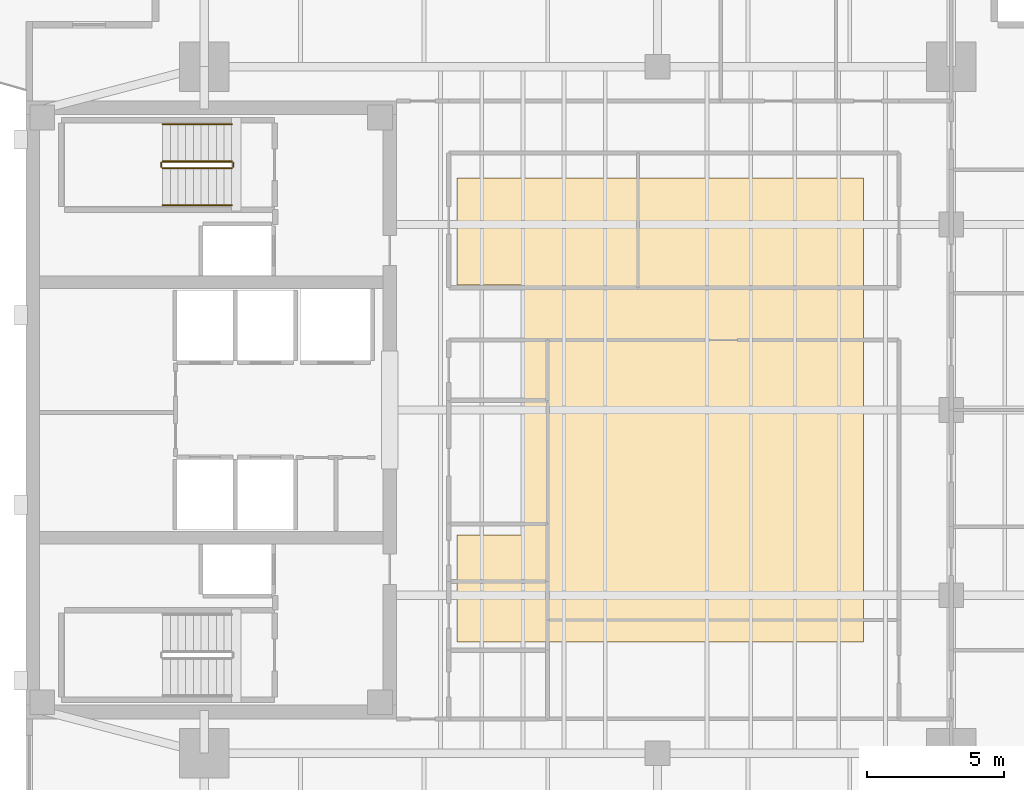
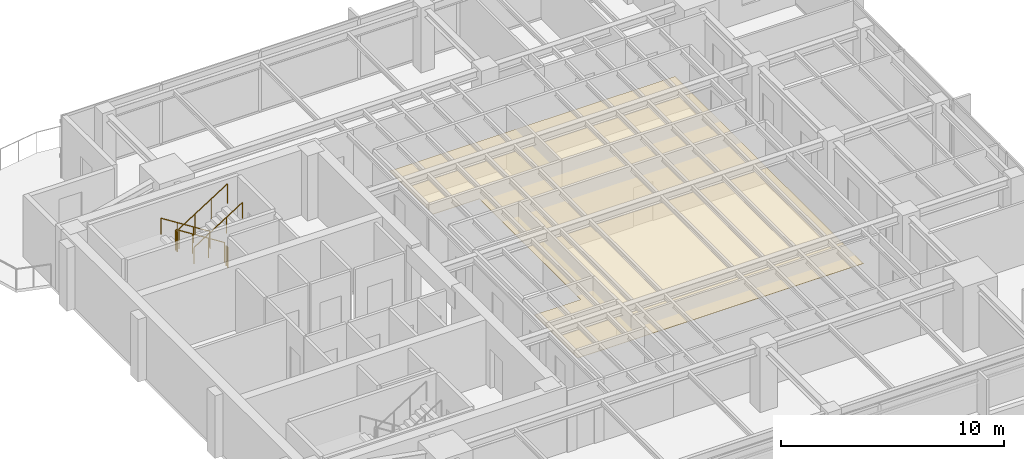
# One storey, part 12 of 13: 6 railings, 1 covering.
"""IFC4 building model written with IfcOpenShell, lengths in metres."""

import ifcopenshell
import ifcopenshell.guid

model = None  # the IFC model being written
_history = None  # IfcOwnerHistory: only IFC2X3 demands one
_inside = {}  # id of a spatial element -> (the spatial element, [elements in it])
_under = {}  # id of a project, library or spatial element -> (it, [spatial elements below it])
_declared = {}  # id of a project -> (the project, [libraries it declares])
_typed = {}  # id of a type object -> (the type object, [elements of that type])
_made_of = {}  # id of a material, layer set ... -> (it, [elements and type objects made of it])


def new_model(schema):
    """Start an empty IFC model of exactly this schema.

    Asked for "IFC4X3", IfcOpenShell would pick the latest addendum, in which some entities
    have other attributes; the version numbers below select the first issue.
    IFC2X3 requires an IfcOwnerHistory on every rooted entity: one is made here for all.
    """
    global model, _history
    if schema == "IFC4X3":
        model = ifcopenshell.file(schema_version=(4, 3, 0, 0))
    else:
        model = ifcopenshell.file(schema=schema)
    _inside.clear()
    _under.clear()
    _declared.clear()
    _typed.clear()
    _made_of.clear()
    _history = None
    if model.schema == "IFC2X3":
        org = make("IfcOrganization", Name="unknown")
        user = make(
            "IfcPersonAndOrganization",
            ThePerson=make("IfcPerson", FamilyName="unknown"),
            TheOrganization=org,
        )
        app = make(
            "IfcApplication",
            ApplicationDeveloper=org,
            Version="unknown",
            ApplicationFullName="unknown",
            ApplicationIdentifier="unknown",
        )
        _history = make(
            "IfcOwnerHistory",
            OwningUser=user,
            OwningApplication=app,
            ChangeAction="ADDED",
            CreationDate=0,
        )
    return model


def make(cls, **values):
    """One entity of the class cls with the attributes given. An attribute that is None is left unset."""
    return model.create_entity(
        cls, **{name: value for name, value in values.items() if value is not None}
    )


def rooted(cls, **values):
    """An entity with a GlobalId (a new one), such as an element, a storey or a relation."""
    return make(cls, GlobalId=ifcopenshell.guid.new(), OwnerHistory=_history, **values)


def si_unit(unit_type, name, prefix=None):
    """IfcSIUnit, for example si_unit("LENGTHUNIT", "METRE", prefix="MILLI")."""
    return make("IfcSIUnit", UnitType=unit_type, Prefix=prefix, Name=name)


def assignment(units):
    """IfcUnitAssignment: the units of a project."""
    return None if units is None else make("IfcUnitAssignment", Units=units)


def point(xyz):
    """IfcCartesianPoint."""
    return None if xyz is None else make("IfcCartesianPoint", Coordinates=xyz)


def direction(xyz):
    """IfcDirection."""
    return None if xyz is None else make("IfcDirection", DirectionRatios=xyz)


def frame(location, z_axis=None, x_axis=None):
    """IfcAxis2Placement3D, a coordinate frame: its origin and axes. An axis left out is left unset."""
    return make(
        "IfcAxis2Placement3D",
        Location=point(location),
        Axis=direction(z_axis),
        RefDirection=direction(x_axis),
    )


def frame_2d(location, x_axis=None):
    """IfcAxis2Placement2D, a coordinate frame in the plane: its origin and x axis."""
    return make(
        "IfcAxis2Placement2D", Location=point(location), RefDirection=direction(x_axis)
    )


def origin():
    """The frame at (0, 0, 0) with its axes left unset."""
    return frame((0.0, 0.0, 0.0))


def origin_2d():
    """The frame at (0, 0) in the plane with its x axis left unset."""
    return frame_2d((0.0, 0.0))


def place(relative_to, where):
    """IfcLocalPlacement: puts the frame where relative to a parent placement (None: the world)."""
    return make(
        "IfcLocalPlacement", PlacementRelTo=relative_to, RelativePlacement=where
    )


def context(
    kind, dimensions, precision=None, world=None, true_north=None, identifier=None
):
    """IfcGeometricRepresentationContext, for example the 3D "Model" context."""
    return make(
        "IfcGeometricRepresentationContext",
        ContextIdentifier=identifier,
        ContextType=kind,
        CoordinateSpaceDimension=dimensions,
        Precision=precision,
        WorldCoordinateSystem=world,
        TrueNorth=true_north,
    )


def subcontext(parent, identifier, kind, view, scale=None):
    """IfcGeometricRepresentationSubContext, for example "Body" below "Model"."""
    return make(
        "IfcGeometricRepresentationSubContext",
        ContextIdentifier=identifier,
        ContextType=kind,
        ParentContext=parent,
        TargetScale=scale,
        TargetView=view,
    )


def project(units=None, contexts=None):
    """IfcProject with its units and contexts."""
    return rooted(
        "IfcProject",
        Name="project",
        RepresentationContexts=contexts,
        UnitsInContext=assignment(units),
    )


def spatial(cls, under=None, at=None, **own):
    """A site, building, storey or space (cls), placed at a placement, below another one or the project."""
    s = rooted(cls, ObjectPlacement=at, **own)
    if under is not None:
        _under.setdefault(under.id(), (under, []))[1].append(s)
    return s


def polyline(points):
    """IfcPolyline through the points."""
    return make("IfcPolyline", Points=[point(p) for p in points])


def profile(cls, at=None, kind="AREA", **sizes):
    """A parametric profile (cls). Its sizes go by their IFC names, for example OverallWidth=200.0."""
    return make(cls, ProfileType=kind, Position=at, **sizes)


def circle(**sizes):
    """IfcCircleProfileDef."""
    return profile("IfcCircleProfileDef", **sizes)


def outline(outer, holes=None, kind="AREA"):
    """IfcArbitraryClosedProfileDef: a profile drawn as a closed curve; with holes, ...WithVoids."""
    if holes is None:
        return make("IfcArbitraryClosedProfileDef", ProfileType=kind, OuterCurve=outer)
    return make(
        "IfcArbitraryProfileDefWithVoids",
        ProfileType=kind,
        OuterCurve=outer,
        InnerCurves=holes,
    )


def extrude(swept, where, along, depth):
    """IfcExtrudedAreaSolid: the profile swept, set in the frame where, extruded along a direction by depth."""
    return make(
        "IfcExtrudedAreaSolid",
        SweptArea=swept,
        Position=where,
        ExtrudedDirection=direction(along),
        Depth=depth,
    )


def shape(context_of_items, identifier, shape_type, items):
    """IfcShapeRepresentation: the items that make up one representation, for example the "Body"."""
    return make(
        "IfcShapeRepresentation",
        ContextOfItems=context_of_items,
        RepresentationIdentifier=identifier,
        RepresentationType=shape_type,
        Items=items,
    )


def material(Name=None, Category=None):
    """IfcMaterial."""
    return make("IfcMaterial", Name=Name, Category=Category)


def layer(
    of_material, thickness, ventilated=None, Name=None, Category=None, Priority=None
):
    """IfcMaterialLayer: one layer of a wall or slab, of a material (None: an air gap)."""
    return make(
        "IfcMaterialLayer",
        Material=of_material,
        LayerThickness=thickness,
        IsVentilated=ventilated,
        Name=Name,
        Category=Category,
        Priority=Priority,
    )


def layer_set(layers, Name=None):
    """IfcMaterialLayerSet."""
    return make("IfcMaterialLayerSet", MaterialLayers=layers, LayerSetName=Name)


def made_of(thing, what):
    """Note that an element or type object is made of a material, layer set ...; save() writes the relation."""
    if what is not None:
        _made_of.setdefault(what.id(), (what, []))[1].append(thing)
    return thing


def type_object(cls, material=None, **own):
    """A type object (cls), such as IfcWallType, which elements share."""
    return made_of(rooted(cls, **own), material)


def element(
    cls,
    number,
    at=None,
    inside=None,
    cuts=None,
    type_object=None,
    material=None,
    context=None,
    identifier="Body",
    shape_type=None,
    held_by="IfcProductDefinitionShape",
    body=None,
    shapes=None,
    **own,
):
    """One element of the class cls, such as IfcWall. Its Tag is "e" and its number.

    at: its placement. inside: the storey or other place that contains it. cuts: it is an
    opening in that element (IfcRelVoidsElement). A single representation is given by context,
    identifier, shape_type and body (its items); several are given by shapes. held_by: the class
    of the entity that holds the representations. save() writes the other relations.
    """
    e = rooted(cls, Tag="e%d" % number, ObjectPlacement=at, **own)
    if body is not None:
        shapes = [shape(context, identifier, shape_type, body)]
    if shapes is not None:
        e.Representation = make(held_by, Representations=shapes)
    if inside is not None:
        _inside.setdefault(inside.id(), (inside, []))[1].append(e)
    if cuts is not None:
        rooted(
            "IfcRelVoidsElement", RelatingBuildingElement=cuts, RelatedOpeningElement=e
        )
    if type_object is not None:
        _typed.setdefault(type_object.id(), (type_object, []))[1].append(e)
    return made_of(e, material)


def aggregate(whole, parts):
    """IfcRelAggregates: a whole, such as a stair, and the parts it consists of."""
    return rooted("IfcRelAggregates", RelatingObject=whole, RelatedObjects=parts)


def save(model, path):
    """Write the relations noted so far, then the file.

    IfcRelAggregates (storeys below a building ...), IfcRelContainedInSpatialStructure (elements
    in a storey), IfcRelDefinesByType, IfcRelAssociatesMaterial and IfcRelDeclares: one each for
    every whole, place, type object, material and project.
    """
    for whole, parts in _under.values():
        aggregate(whole, parts)
    for where, things in _inside.values():
        rooted(
            "IfcRelContainedInSpatialStructure",
            RelatedElements=things,
            RelatingStructure=where,
        )
    for kind, things in _typed.values():
        rooted("IfcRelDefinesByType", RelatedObjects=things, RelatingType=kind)
    for what, things in _made_of.values():
        rooted("IfcRelAssociatesMaterial", RelatedObjects=things, RelatingMaterial=what)
    for by, libraries in _declared.values():
        rooted("IfcRelDeclares", RelatingContext=by, RelatedDefinitions=libraries)
    model.write(path)


model = new_model("IFC4")

# Units and contexts
model_context = context("Model", 3, precision=1e-05, world=origin(), true_north=direction((0.0, 1.0)))
body_context = subcontext(model_context, "Body", "Model", "MODEL_VIEW")
ifc_project = project(units=[si_unit("LENGTHUNIT", "METRE"), si_unit("AREAUNIT", "SQUARE_METRE"), si_unit("VOLUMEUNIT", "CUBIC_METRE"), si_unit("PLANEANGLEUNIT", "RADIAN"), si_unit("MASSUNIT", "GRAM", prefix="KILO")], contexts=[model_context])

# Site, building, storey
site_placement = place(None, origin())
site = spatial("IfcSite", under=ifc_project, at=site_placement, CompositionType="ELEMENT")
building_placement = place(site_placement, origin())
building = spatial("IfcBuilding", under=site, at=building_placement, Name="Kinhvarn Gate Tower", CompositionType="ELEMENT")
storey_placement = place(building_placement, frame((0.0, 0.0, 288.300048828125)))
storey = spatial("IfcBuildingStorey", under=building, at=storey_placement, Name="L77", CompositionType="ELEMENT", Elevation=288.300048828125)

# Covering
ifc_material_1 = material(Name="Mineral-fibre acoustic ceiling tile")
ifc_layer = layer(ifc_material_1, 0.02001953125)
ifc_layer_set = layer_set([ifc_layer], Name="Mineral-fibre acoustic ceiling tile")
covering_type = type_object("IfcCoveringType", Name="COV-CEIL-20", PredefinedType="CEILING", material=ifc_layer_set)
covering_placement = place(storey_placement, frame((0.0, 0.0, 2.64990234375)))
element("IfcCovering", 1, at=covering_placement, inside=storey, type_object=covering_type, Name="Suspended Acoustic Ceiling Tile (L77-1)", PredefinedType="CEILING", context=body_context, shape_type="SweptSolid", body=[
    extrude(outline(polyline([(35.0, 33.699951171875), (35.0, 16.800048828125), (20.199951171875, 16.800048828125), (20.199951171875, 20.699951171875), (22.60009765625, 20.699951171875), (22.60009765625, 29.800048828125), (20.199951171875, 29.800048828125), (20.199951171875, 33.699951171875), (35.0, 33.699951171875)])), origin(), (0.0, 0.0, 1.0), 0.02001953125),
])

# Railings
ifc_material_2 = material(Name="Steel S355", Category="steel")
railing_type_1 = type_object("IfcRailingType", Name="RL-ST-GRD", PredefinedType="BALUSTRADE", material=ifc_material_2)
railing_1_placement = place(storey_placement, frame((12.0, 34.300048828125, 0.177490234375)))
element("IfcRailing", 2, at=railing_1_placement, inside=storey, type_object=railing_type_1, Name="L77 ST2 stair guard 1", PredefinedType="BALUSTRADE", context=body_context, shape_type="SweptSolid", body=[
    extrude(circle(Radius=0.02392578125, at=origin_2d()), frame((0.0, 0.0, 1.076171875), z_axis=(-0.84460694969, 0.0, 0.535386869969), x_axis=(0.0, -1.0, 0.0)), (0.0, 0.0, 1.0), 2.983642578125),
    extrude(circle(Radius=0.02099609375, at=origin_2d()), origin(), (0.0, 0.0, 1.0), 1.052001953125),
    extrude(circle(Radius=0.02099609375, at=origin_2d()), frame((-0.840087890625, 0.0, 0.532470703125)), (0.0, 0.0, 1.0), 1.052001953125),
    extrude(circle(Radius=0.02099609375, at=origin_2d()), frame((-1.679931640625, 0.0, 1.06494140625)), (0.0, 0.0, 1.0), 1.052001953125),
    extrude(circle(Radius=0.02099609375, at=origin_2d()), frame((-2.52001953125, 0.0, 1.597412109375)), (0.0, 0.0, 1.0), 1.052001953125),
])
railing_2_placement = place(storey_placement, frame((9.429931640625, 34.25, 1.77490234375)))
element("IfcRailing", 3, at=railing_2_placement, inside=storey, type_object=railing_type_1, Name="L77 ST2 stair guard 2", PredefinedType="BALUSTRADE", context=body_context, shape_type="SweptSolid", body=[
    extrude(circle(Radius=0.02392578125, at=origin_2d()), frame((0.0, 0.0, 1.076171875), z_axis=(0.0, -1.0, 0.0), x_axis=(1.0, 0.0, 0.0)), (0.0, 0.0, 1.0), 0.14990234375),
    extrude(circle(Radius=0.02099609375, at=origin_2d()), origin(), (0.0, 0.0, 1.0), 1.052001953125),
    extrude(circle(Radius=0.02099609375, at=origin_2d()), frame((0.0, -0.14990234375, 0.0)), (0.0, 0.0, 1.0), 1.052001953125),
])
railing_3_placement = place(storey_placement, frame((9.47998046875, 34.050048828125, 1.952392578125)))
element("IfcRailing", 4, at=railing_3_placement, inside=storey, type_object=railing_type_1, Name="L77 ST2 stair guard 3", PredefinedType="BALUSTRADE", context=body_context, shape_type="SweptSolid", body=[
    extrude(circle(Radius=0.02392578125, at=origin_2d()), frame((0.0, 0.0, 1.076171875), z_axis=(0.84456994832, 0.0, 0.535445237532), x_axis=(0.0, 1.0, 0.0)), (0.0, 0.0, 1.0), 2.98388671875),
    extrude(circle(Radius=0.02099609375, at=origin_2d()), origin(), (0.0, 0.0, 1.0), 1.052001953125),
    extrude(circle(Radius=0.02099609375, at=origin_2d()), frame((0.840087890625, 0.0, 0.532470703125)), (0.0, 0.0, 1.0), 1.052001953125),
    extrude(circle(Radius=0.02099609375, at=origin_2d()), frame((1.679931640625, 0.0, 1.065185546875)), (0.0, 0.0, 1.0), 1.052001953125),
    extrude(circle(Radius=0.02099609375, at=origin_2d()), frame((2.52001953125, 0.0, 1.59765625)), (0.0, 0.0, 1.0), 1.052001953125),
])
railing_4_placement = place(storey_placement, frame((12.050048828125, 34.25, 0.0)))
element("IfcRailing", 5, at=railing_4_placement, inside=storey, type_object=railing_type_1, Name="L77 ST2 stair guard 4", PredefinedType="BALUSTRADE", context=body_context, shape_type="SweptSolid", body=[
    extrude(circle(Radius=0.02392578125, at=origin_2d()), frame((0.0, 0.0, 1.076171875), z_axis=(0.0, -1.0, 0.0), x_axis=(1.0, 0.0, 0.0)), (0.0, 0.0, 1.0), 0.14990234375),
    extrude(circle(Radius=0.02099609375, at=origin_2d()), origin(), (0.0, 0.0, 1.0), 1.052001953125),
    extrude(circle(Radius=0.02099609375, at=origin_2d()), frame((0.0, -0.14990234375, 0.0)), (0.0, 0.0, 1.0), 1.052001953125),
])
railing_type_2 = type_object("IfcRailingType", Name="RL-ST-HND", PredefinedType="HANDRAIL", material=ifc_material_2)
railing_5_placement = place(storey_placement, frame((12.0, 35.64990234375, 0.177490234375)))
element("IfcRailing", 6, at=railing_5_placement, inside=storey, type_object=railing_type_2, Name="L77 ST2 stair handrail 1", PredefinedType="HANDRAIL", context=body_context, shape_type="SweptSolid", body=[
    extrude(circle(Radius=0.02392578125, at=origin_2d()), frame((0.0, 0.0, 0.8759765625), z_axis=(-0.84460694969, 0.0, 0.535386869969), x_axis=(0.0, -1.0, 0.0)), (0.0, 0.0, 1.0), 2.983642578125),
    extrude(circle(Radius=0.02099609375, at=origin_2d()), origin(), (0.0, 0.0, 1.0), 0.851806640625),
    extrude(circle(Radius=0.02099609375, at=origin_2d()), frame((-0.840087890625, 0.0, 0.532470703125)), (0.0, 0.0, 1.0), 0.851806640625),
    extrude(circle(Radius=0.02099609375, at=origin_2d()), frame((-1.679931640625, 0.0, 1.06494140625)), (0.0, 0.0, 1.0), 0.851806640625),
    extrude(circle(Radius=0.02099609375, at=origin_2d()), frame((-2.52001953125, 0.0, 1.597412109375)), (0.0, 0.0, 1.0), 0.851806640625),
])
railing_6_placement = place(storey_placement, frame((9.47998046875, 32.699951171875, 1.952392578125)))
element("IfcRailing", 7, at=railing_6_placement, inside=storey, type_object=railing_type_2, Name="L77 ST2 stair handrail 2", PredefinedType="HANDRAIL", context=body_context, shape_type="SweptSolid", body=[
    extrude(circle(Radius=0.02392578125, at=origin_2d()), frame((0.0, 0.0, 0.8759765625), z_axis=(0.84456994832, 0.0, 0.535445237532), x_axis=(0.0, 1.0, 0.0)), (0.0, 0.0, 1.0), 2.98388671875),
    extrude(circle(Radius=0.02099609375, at=origin_2d()), origin(), (0.0, 0.0, 1.0), 0.851806640625),
    extrude(circle(Radius=0.02099609375, at=origin_2d()), frame((0.840087890625, 0.0, 0.532470703125)), (0.0, 0.0, 1.0), 0.851806640625),
    extrude(circle(Radius=0.02099609375, at=origin_2d()), frame((1.679931640625, 0.0, 1.065185546875)), (0.0, 0.0, 1.0), 0.851806640625),
    extrude(circle(Radius=0.02099609375, at=origin_2d()), frame((2.52001953125, 0.0, 1.59765625)), (0.0, 0.0, 1.0), 0.851806640625),
])

save(model, "model.ifc")
